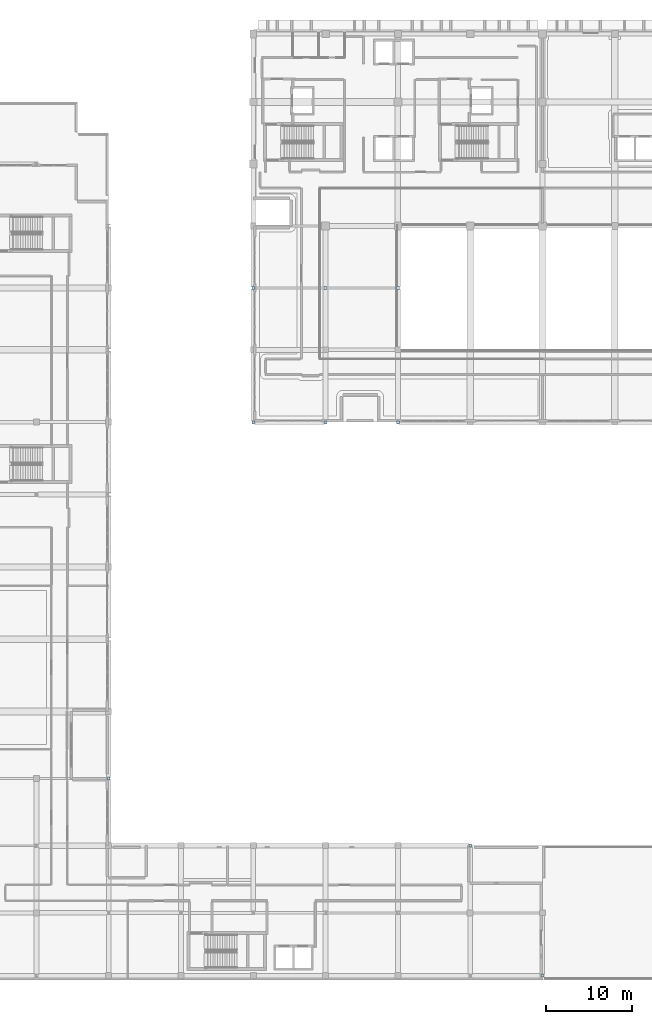
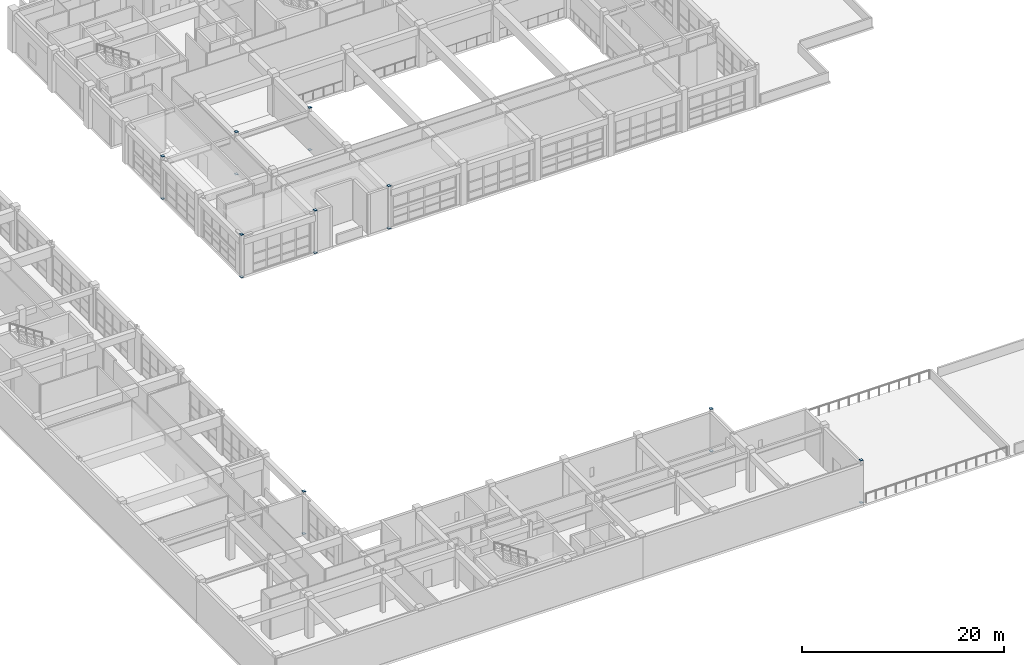
# One storey, part 56 of 78: 18 plates.
"""IFC4 building model written with IfcOpenShell, lengths in metres."""

import ifcopenshell
import ifcopenshell.guid

model = None  # the IFC model being written
_history = None  # IfcOwnerHistory: only IFC2X3 demands one
_inside = {}  # id of a spatial element -> (the spatial element, [elements in it])
_under = {}  # id of a project, library or spatial element -> (it, [spatial elements below it])
_declared = {}  # id of a project -> (the project, [libraries it declares])
_typed = {}  # id of a type object -> (the type object, [elements of that type])
_made_of = {}  # id of a material, layer set ... -> (it, [elements and type objects made of it])


def new_model(schema):
    """Start an empty IFC model of exactly this schema.

    Asked for "IFC4X3", IfcOpenShell would pick the latest addendum, in which some entities
    have other attributes; the version numbers below select the first issue.
    IFC2X3 requires an IfcOwnerHistory on every rooted entity: one is made here for all.
    """
    global model, _history
    if schema == "IFC4X3":
        model = ifcopenshell.file(schema_version=(4, 3, 0, 0))
    else:
        model = ifcopenshell.file(schema=schema)
    _inside.clear()
    _under.clear()
    _declared.clear()
    _typed.clear()
    _made_of.clear()
    _history = None
    if model.schema == "IFC2X3":
        org = make("IfcOrganization", Name="unknown")
        user = make(
            "IfcPersonAndOrganization",
            ThePerson=make("IfcPerson", FamilyName="unknown"),
            TheOrganization=org,
        )
        app = make(
            "IfcApplication",
            ApplicationDeveloper=org,
            Version="unknown",
            ApplicationFullName="unknown",
            ApplicationIdentifier="unknown",
        )
        _history = make(
            "IfcOwnerHistory",
            OwningUser=user,
            OwningApplication=app,
            ChangeAction="ADDED",
            CreationDate=0,
        )
    return model


def make(cls, **values):
    """One entity of the class cls with the attributes given. An attribute that is None is left unset."""
    return model.create_entity(
        cls, **{name: value for name, value in values.items() if value is not None}
    )


def rooted(cls, **values):
    """An entity with a GlobalId (a new one), such as an element, a storey or a relation."""
    return make(cls, GlobalId=ifcopenshell.guid.new(), OwnerHistory=_history, **values)


def si_unit(unit_type, name, prefix=None):
    """IfcSIUnit, for example si_unit("LENGTHUNIT", "METRE", prefix="MILLI")."""
    return make("IfcSIUnit", UnitType=unit_type, Prefix=prefix, Name=name)


def assignment(units):
    """IfcUnitAssignment: the units of a project."""
    return None if units is None else make("IfcUnitAssignment", Units=units)


def point(xyz):
    """IfcCartesianPoint."""
    return None if xyz is None else make("IfcCartesianPoint", Coordinates=xyz)


def direction(xyz):
    """IfcDirection."""
    return None if xyz is None else make("IfcDirection", DirectionRatios=xyz)


def frame(location, z_axis=None, x_axis=None):
    """IfcAxis2Placement3D, a coordinate frame: its origin and axes. An axis left out is left unset."""
    return make(
        "IfcAxis2Placement3D",
        Location=point(location),
        Axis=direction(z_axis),
        RefDirection=direction(x_axis),
    )


def frame_2d(location, x_axis=None):
    """IfcAxis2Placement2D, a coordinate frame in the plane: its origin and x axis."""
    return make(
        "IfcAxis2Placement2D", Location=point(location), RefDirection=direction(x_axis)
    )


def origin():
    """The frame at (0, 0, 0) with its axes left unset."""
    return frame((0.0, 0.0, 0.0))


def origin_2d():
    """The frame at (0, 0) in the plane with its x axis left unset."""
    return frame_2d((0.0, 0.0))


def place(relative_to, where):
    """IfcLocalPlacement: puts the frame where relative to a parent placement (None: the world)."""
    return make(
        "IfcLocalPlacement", PlacementRelTo=relative_to, RelativePlacement=where
    )


def context(
    kind, dimensions, precision=None, world=None, true_north=None, identifier=None
):
    """IfcGeometricRepresentationContext, for example the 3D "Model" context."""
    return make(
        "IfcGeometricRepresentationContext",
        ContextIdentifier=identifier,
        ContextType=kind,
        CoordinateSpaceDimension=dimensions,
        Precision=precision,
        WorldCoordinateSystem=world,
        TrueNorth=true_north,
    )


def subcontext(parent, identifier, kind, view, scale=None):
    """IfcGeometricRepresentationSubContext, for example "Body" below "Model"."""
    return make(
        "IfcGeometricRepresentationSubContext",
        ContextIdentifier=identifier,
        ContextType=kind,
        ParentContext=parent,
        TargetScale=scale,
        TargetView=view,
    )


def project(units=None, contexts=None):
    """IfcProject with its units and contexts."""
    return rooted(
        "IfcProject",
        Name="project",
        RepresentationContexts=contexts,
        UnitsInContext=assignment(units),
    )


def spatial(cls, under=None, at=None, **own):
    """A site, building, storey or space (cls), placed at a placement, below another one or the project."""
    s = rooted(cls, ObjectPlacement=at, **own)
    if under is not None:
        _under.setdefault(under.id(), (under, []))[1].append(s)
    return s


def profile(cls, at=None, kind="AREA", **sizes):
    """A parametric profile (cls). Its sizes go by their IFC names, for example OverallWidth=200.0."""
    return make(cls, ProfileType=kind, Position=at, **sizes)


def rectangle(**sizes):
    """IfcRectangleProfileDef."""
    return profile("IfcRectangleProfileDef", **sizes)


def extrude(swept, where, along, depth):
    """IfcExtrudedAreaSolid: the profile swept, set in the frame where, extruded along a direction by depth."""
    return make(
        "IfcExtrudedAreaSolid",
        SweptArea=swept,
        Position=where,
        ExtrudedDirection=direction(along),
        Depth=depth,
    )


def shape(context_of_items, identifier, shape_type, items):
    """IfcShapeRepresentation: the items that make up one representation, for example the "Body"."""
    return make(
        "IfcShapeRepresentation",
        ContextOfItems=context_of_items,
        RepresentationIdentifier=identifier,
        RepresentationType=shape_type,
        Items=items,
    )


def material(Name=None, Category=None):
    """IfcMaterial."""
    return make("IfcMaterial", Name=Name, Category=Category)


def layer(
    of_material, thickness, ventilated=None, Name=None, Category=None, Priority=None
):
    """IfcMaterialLayer: one layer of a wall or slab, of a material (None: an air gap)."""
    return make(
        "IfcMaterialLayer",
        Material=of_material,
        LayerThickness=thickness,
        IsVentilated=ventilated,
        Name=Name,
        Category=Category,
        Priority=Priority,
    )


def layer_set(layers, Name=None):
    """IfcMaterialLayerSet."""
    return make("IfcMaterialLayerSet", MaterialLayers=layers, LayerSetName=Name)


def made_of(thing, what):
    """Note that an element or type object is made of a material, layer set ...; save() writes the relation."""
    if what is not None:
        _made_of.setdefault(what.id(), (what, []))[1].append(thing)
    return thing


def type_object(cls, material=None, **own):
    """A type object (cls), such as IfcWallType, which elements share."""
    return made_of(rooted(cls, **own), material)


def element(
    cls,
    number,
    at=None,
    inside=None,
    cuts=None,
    type_object=None,
    material=None,
    context=None,
    identifier="Body",
    shape_type=None,
    held_by="IfcProductDefinitionShape",
    body=None,
    shapes=None,
    **own,
):
    """One element of the class cls, such as IfcWall. Its Tag is "e" and its number.

    at: its placement. inside: the storey or other place that contains it. cuts: it is an
    opening in that element (IfcRelVoidsElement). A single representation is given by context,
    identifier, shape_type and body (its items); several are given by shapes. held_by: the class
    of the entity that holds the representations. save() writes the other relations.
    """
    e = rooted(cls, Tag="e%d" % number, ObjectPlacement=at, **own)
    if body is not None:
        shapes = [shape(context, identifier, shape_type, body)]
    if shapes is not None:
        e.Representation = make(held_by, Representations=shapes)
    if inside is not None:
        _inside.setdefault(inside.id(), (inside, []))[1].append(e)
    if cuts is not None:
        rooted(
            "IfcRelVoidsElement", RelatingBuildingElement=cuts, RelatedOpeningElement=e
        )
    if type_object is not None:
        _typed.setdefault(type_object.id(), (type_object, []))[1].append(e)
    return made_of(e, material)


def aggregate(whole, parts):
    """IfcRelAggregates: a whole, such as a stair, and the parts it consists of."""
    return rooted("IfcRelAggregates", RelatingObject=whole, RelatedObjects=parts)


def save(model, path):
    """Write the relations noted so far, then the file.

    IfcRelAggregates (storeys below a building ...), IfcRelContainedInSpatialStructure (elements
    in a storey), IfcRelDefinesByType, IfcRelAssociatesMaterial and IfcRelDeclares: one each for
    every whole, place, type object, material and project.
    """
    for whole, parts in _under.values():
        aggregate(whole, parts)
    for where, things in _inside.values():
        rooted(
            "IfcRelContainedInSpatialStructure",
            RelatedElements=things,
            RelatingStructure=where,
        )
    for kind, things in _typed.values():
        rooted("IfcRelDefinesByType", RelatedObjects=things, RelatingType=kind)
    for what, things in _made_of.values():
        rooted("IfcRelAssociatesMaterial", RelatedObjects=things, RelatingMaterial=what)
    for by, libraries in _declared.values():
        rooted("IfcRelDeclares", RelatingContext=by, RelatedDefinitions=libraries)
    model.write(path)


model = new_model("IFC4")

# Units and contexts
model_context = context("Model", 3, precision=1e-05, world=origin(), true_north=direction((0.0, 1.0)))
body_context = subcontext(model_context, "Body", "Model", "MODEL_VIEW")
ifc_project = project(units=[si_unit("LENGTHUNIT", "METRE"), si_unit("AREAUNIT", "SQUARE_METRE"), si_unit("VOLUMEUNIT", "CUBIC_METRE"), si_unit("PLANEANGLEUNIT", "RADIAN"), si_unit("MASSUNIT", "GRAM", prefix="KILO")], contexts=[model_context])

# Site, building, storey
site_placement = place(None, origin())
site = spatial("IfcSite", under=ifc_project, at=site_placement, CompositionType="ELEMENT")
building_placement = place(site_placement, origin())
building = spatial("IfcBuilding", under=site, at=building_placement, Name="Quendrovan Civic Courthouse", CompositionType="ELEMENT")
storey_placement = place(building_placement, frame((0.0, 0.0, 10.199951171875)))
storey = spatial("IfcBuildingStorey", under=building, at=storey_placement, Name="L03", CompositionType="ELEMENT", Elevation=10.199951171875)

# Plates
ifc_material = material(Name="Steel ASTM A572 Grade 50", Category="steel")
ifc_layer = layer(ifc_material, 0.011962890625, Name="Steel ASTM A572 Grade 50")
ifc_layer_set = layer_set([ifc_layer], Name="Steel ASTM A572 Grade 50")
plate_type = type_object("IfcPlateType", Name="PLT-CAP-12", PredefinedType="SHEET", material=ifc_layer_set)
for number, where, z_axis, x_axis, name in (
    (1, (16.800048828125, 23.39990234375, 5.10009765625), (0.0, 0.0, 1.0), (1.0, 0.0, 0.0), "L03 Hollow Column End Cap Plate COL-L03-3-D-TOP"),
    (2, (16.800048828125, 23.39990234375, -0.01171875), (0.0, 0.0, 1.0), (1.0, 0.0, 0.0), "L03 Hollow Column End Cap Plate COL-L03-3-D-BOT"),
    (3, (33.60009765625, 64.800048828125, 5.10009765625), (0.0, 0.0, 1.0), (1.0, 0.0, 0.0), "L03 Hollow Column End Cap Plate COL-L03-5-J-TOP"),
    (4, (33.60009765625, 64.800048828125, -0.01171875), (0.0, 0.0, 1.0), (1.0, 0.0, 0.0), "L03 Hollow Column End Cap Plate COL-L03-5-J-BOT"),
    (5, (33.60009765625, 80.39990234375, 5.10009765625), (0.0, 0.0, 1.0), (1.0, 0.0, 0.0), "L03 Hollow Column End Cap Plate COL-L03-5-L-TOP"),
    (6, (33.60009765625, 80.39990234375, -0.01171875), (0.0, 0.0, 1.0), (1.0, 0.0, 0.0), "L03 Hollow Column End Cap Plate COL-L03-5-L-BOT"),
    (7, (42.0, 64.800048828125, 5.10009765625), (0.0, 0.0, 1.0), (1.0, 0.0, 0.0), "L03 Hollow Column End Cap Plate COL-L03-6-J-TOP"),
    (8, (42.0, 64.800048828125, -0.01171875), (0.0, 0.0, 1.0), (1.0, 0.0, 0.0), "L03 Hollow Column End Cap Plate COL-L03-6-J-BOT"),
    (9, (42.0, 80.39990234375, 5.10009765625), (0.0, 0.0, 1.0), (1.0, 0.0, 0.0), "L03 Hollow Column End Cap Plate COL-L03-6-L-TOP"),
    (10, (42.0, 80.39990234375, -0.01171875), (0.0, 0.0, 1.0), (1.0, 0.0, 0.0), "L03 Hollow Column End Cap Plate COL-L03-6-L-BOT"),
    (11, (50.39990234375, 64.800048828125, 5.10009765625), (0.0, 0.0, 1.0), (1.0, 0.0, 0.0), "L03 Hollow Column End Cap Plate COL-L03-7-J-TOP"),
    (12, (50.39990234375, 64.800048828125, -0.01171875), (0.0, 0.0, 1.0), (1.0, 0.0, 0.0), "L03 Hollow Column End Cap Plate COL-L03-7-J-BOT"),
    (13, (50.39990234375, 80.39990234375, 5.10009765625), (0.0, 0.0, 1.0), (1.0, 0.0, 0.0), "L03 Hollow Column End Cap Plate COL-L03-7-L-TOP"),
    (14, (50.39990234375, 80.39990234375, -0.01171875), (0.0, 0.0, 1.0), (1.0, 0.0, 0.0), "L03 Hollow Column End Cap Plate COL-L03-7-L-BOT"),
    (15, (58.800048828125, 15.60009765625, 5.10009765625), (0.0, 0.0, 1.0), (1.0, 0.0, 0.0), "L03 Hollow Column End Cap Plate COL-L03-8-C-TOP"),
    (16, (58.800048828125, 15.60009765625, -0.01171875), (0.0, 0.0, 1.0), (1.0, 0.0, 0.0), "L03 Hollow Column End Cap Plate COL-L03-8-C-BOT"),
    (17, (67.199951171875, 0.5, 5.10009765625), (0.0, 0.0, 1.0), (1.0, 0.0, 0.0), "L03 Hollow Column End Cap Plate COL-L03-9-A-TOP"),
    (18, (67.199951171875, 0.5, -0.01171875), (0.0, 0.0, 1.0), (1.0, 0.0, 0.0), "L03 Hollow Column End Cap Plate COL-L03-9-A-BOT"),
):
    element("IfcPlate", number, at=place(storey_placement, frame(where, z_axis=z_axis, x_axis=x_axis)), inside=storey, type_object=plate_type, Name=name, PredefinedType="SHEET", context=body_context, shape_type="SweptSolid", body=[
        extrude(rectangle(XDim=0.320068359375, YDim=0.320068359375, at=origin_2d()), origin(), (0.0, 0.0, 1.0), 0.011962890625),
    ])

save(model, "model.ifc")
